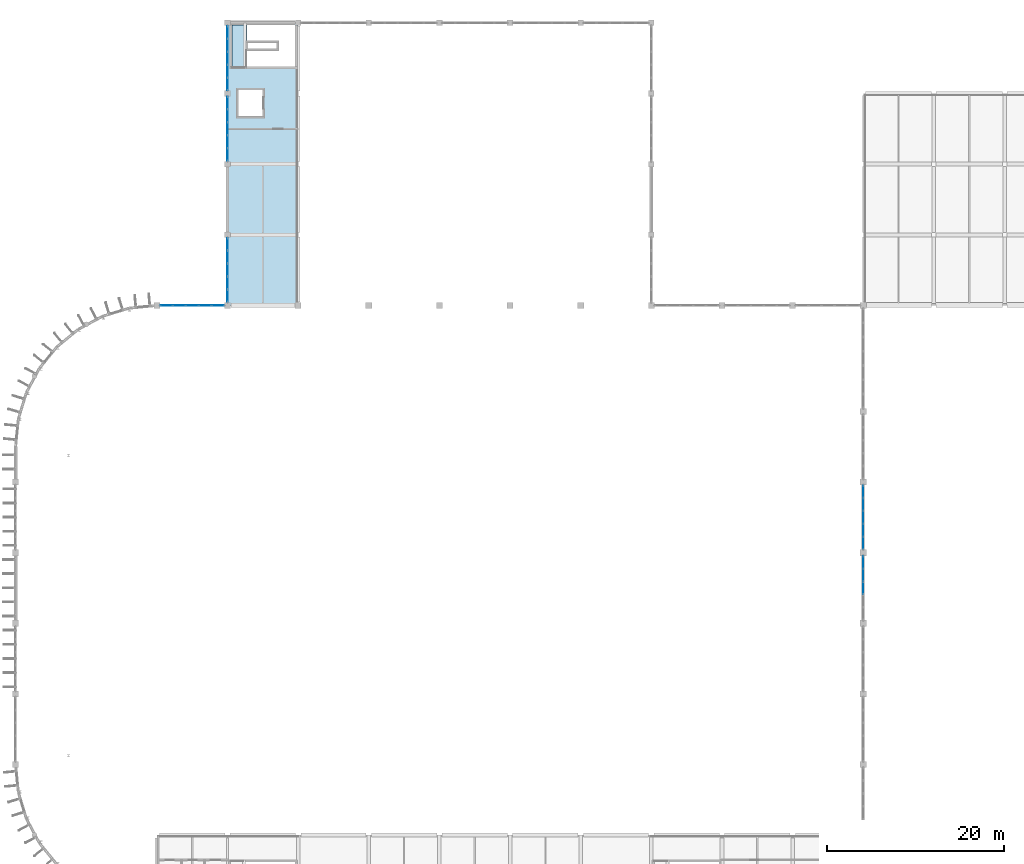
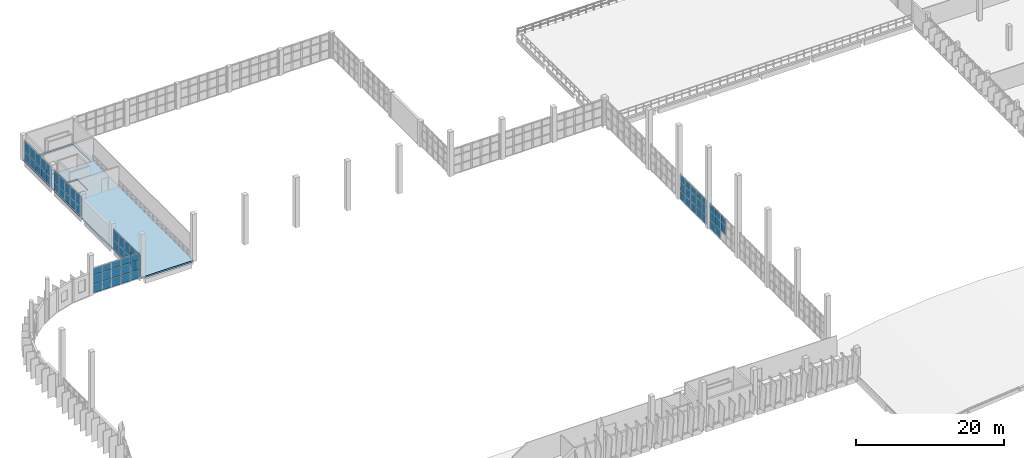
# One storey, part 38 of 66: 68 plates, 2 slabs, 6 elements without a shape of their own.
"""IFC4 building model written with IfcOpenShell, lengths in metres."""

from ifc_helpers import new_model, si_unit, direction, frame, origin, origin_2d, place, context, subcontext, project, spatial, polyline, rectangle, outline, extrude, material, layer, layer_set, type_object, element, aggregate, save


model = new_model("IFC4")

# Units and contexts
model_context = context("Model", 3, precision=1e-05, world=origin(), true_north=direction((0.0, 1.0)))
body_context = subcontext(model_context, "Body", "Model", "MODEL_VIEW")
ifc_project = project(units=[si_unit("LENGTHUNIT", "METRE"), si_unit("AREAUNIT", "SQUARE_METRE"), si_unit("VOLUMEUNIT", "CUBIC_METRE"), si_unit("PLANEANGLEUNIT", "RADIAN"), si_unit("MASSUNIT", "GRAM", prefix="KILO")], contexts=[model_context])

# Site, building, storey
site_placement = place(None, origin())
site = spatial("IfcSite", under=ifc_project, at=site_placement, CompositionType="ELEMENT")
building_placement = place(site_placement, origin())
building = spatial("IfcBuilding", under=site, at=building_placement, Name="Drelvana Railside Aquatics Centre", CompositionType="ELEMENT")
storey_placement = place(building_placement, frame((0.0, 0.0, 10.199951171875)))
storey = spatial("IfcBuildingStorey", under=building, at=storey_placement, Name="L02", CompositionType="ELEMENT", Elevation=10.199951171875)

# Curtain wall, plates
ifc_material_1 = material(Name="Bronze-anodised aluminium curtain wall", Category="aluminium")
ifc_layer_1 = layer(ifc_material_1, 0.219970703125, Name="Bronze-anodised aluminium curtain wall")
ifc_layer_set_1 = layer_set([ifc_layer_1], Name="Bronze-anodised aluminium curtain wall")
curtain_wall_type = type_object("IfcCurtainWallType", Name="CW-Z3-HIGH", PredefinedType="NOTDEFINED", material=ifc_layer_set_1)
curtain_wall_1_placement = place(storey_placement, origin())
curtain_wall_1 = element("IfcCurtainWall", 1, at=curtain_wall_1_placement, inside=storey, type_object=curtain_wall_type, Name="Curtain wall CW-03-019", PredefinedType="NOTDEFINED")
ifc_material_2 = material(Name="Double-glazed low-e solar-control glass", Category="glass")
ifc_layer_2 = layer(ifc_material_2, 0.035888671875, Name="Double-glazed low-e solar-control glass")
ifc_layer_set_2 = layer_set([ifc_layer_2], Name="Double-glazed low-e solar-control glass")
plate_type = type_object("IfcPlateType", Name="CW-Z3-HIGH-PAN", PredefinedType="CURTAIN_PANEL", material=ifc_layer_set_2)
plate_1_placement = place(storey_placement, frame((17.09521484375, 84.0, 0.06396484375), z_axis=(0.0, 0.0, 1.0), x_axis=(1.0, 0.0, 0.0)))
plate_1 = element("IfcPlate", 2, at=plate_1_placement, type_object=plate_type, Name="CW-03 panel 1.1", PredefinedType="CURTAIN_PANEL", context=body_context, shape_type="SweptSolid", body=[
    extrude(rectangle(XDim=1.352294921875, YDim=0.035888671875, at=origin_2d()), origin(), (0.0, 0.0, 1.0), 1.366455078125),
])
plate_2_placement = place(storey_placement, frame((17.09521484375, 84.0, 1.49560546875), z_axis=(0.0, 0.0, 1.0), x_axis=(1.0, 0.0, 0.0)))
plate_2 = element("IfcPlate", 3, at=plate_2_placement, type_object=plate_type, Name="CW-03 panel 1.2", PredefinedType="CURTAIN_PANEL", context=body_context, shape_type="SweptSolid", body=[
    extrude(rectangle(XDim=1.352294921875, YDim=0.035888671875, at=origin_2d()), origin(), (0.0, 0.0, 1.0), 1.487060546875),
])
plate_3_placement = place(storey_placement, frame((17.09521484375, 84.0, 3.04736328125), z_axis=(0.0, 0.0, 1.0), x_axis=(1.0, 0.0, 0.0)))
plate_3 = element("IfcPlate", 4, at=plate_3_placement, type_object=plate_type, Name="CW-03 panel 1.3", PredefinedType="CURTAIN_PANEL", context=body_context, shape_type="SweptSolid", body=[
    extrude(rectangle(XDim=1.352294921875, YDim=0.035888671875, at=origin_2d()), origin(), (0.0, 0.0, 1.0), 1.072509765625),
])
plate_4_placement = place(storey_placement, frame((18.53759765625, 84.0, 0.06396484375), z_axis=(0.0, 0.0, 1.0), x_axis=(1.0, 0.0, 0.0)))
plate_4 = element("IfcPlate", 5, at=plate_4_placement, type_object=plate_type, Name="CW-03 panel 2.1", PredefinedType="CURTAIN_PANEL", context=body_context, shape_type="SweptSolid", body=[
    extrude(rectangle(XDim=1.392333984375, YDim=0.035888671875, at=origin_2d()), origin(), (0.0, 0.0, 1.0), 1.366455078125),
])
plate_5_placement = place(storey_placement, frame((18.53759765625, 84.0, 1.49560546875), z_axis=(0.0, 0.0, 1.0), x_axis=(1.0, 0.0, 0.0)))
plate_5 = element("IfcPlate", 6, at=plate_5_placement, type_object=plate_type, Name="CW-03 panel 2.2", PredefinedType="CURTAIN_PANEL", context=body_context, shape_type="SweptSolid", body=[
    extrude(rectangle(XDim=1.392333984375, YDim=0.035888671875, at=origin_2d()), origin(), (0.0, 0.0, 1.0), 1.487060546875),
])
plate_6_placement = place(storey_placement, frame((18.53759765625, 84.0, 3.04736328125), z_axis=(0.0, 0.0, 1.0), x_axis=(1.0, 0.0, 0.0)))
plate_6 = element("IfcPlate", 7, at=plate_6_placement, type_object=plate_type, Name="CW-03 panel 2.3", PredefinedType="CURTAIN_PANEL", context=body_context, shape_type="SweptSolid", body=[
    extrude(rectangle(XDim=1.392333984375, YDim=0.035888671875, at=origin_2d()), origin(), (0.0, 0.0, 1.0), 1.072509765625),
])
plate_7_placement = place(storey_placement, frame((20.0, 84.0, 0.06396484375), z_axis=(0.0, 0.0, 1.0), x_axis=(1.0, 0.0, 0.0)))
plate_7 = element("IfcPlate", 8, at=plate_7_placement, type_object=plate_type, Name="CW-03 panel 3.1", PredefinedType="CURTAIN_PANEL", context=body_context, shape_type="SweptSolid", body=[
    extrude(rectangle(XDim=1.392333984375, YDim=0.035888671875, at=origin_2d()), origin(), (0.0, 0.0, 1.0), 1.366455078125),
])
plate_8_placement = place(storey_placement, frame((20.0, 84.0, 1.49560546875), z_axis=(0.0, 0.0, 1.0), x_axis=(1.0, 0.0, 0.0)))
plate_8 = element("IfcPlate", 9, at=plate_8_placement, type_object=plate_type, Name="CW-03 panel 3.2", PredefinedType="CURTAIN_PANEL", context=body_context, shape_type="SweptSolid", body=[
    extrude(rectangle(XDim=1.392333984375, YDim=0.035888671875, at=origin_2d()), origin(), (0.0, 0.0, 1.0), 1.487060546875),
])
plate_9_placement = place(storey_placement, frame((20.0, 84.0, 3.04736328125), z_axis=(0.0, 0.0, 1.0), x_axis=(1.0, 0.0, 0.0)))
plate_9 = element("IfcPlate", 10, at=plate_9_placement, type_object=plate_type, Name="CW-03 panel 3.3", PredefinedType="CURTAIN_PANEL", context=body_context, shape_type="SweptSolid", body=[
    extrude(rectangle(XDim=1.392333984375, YDim=0.035888671875, at=origin_2d()), origin(), (0.0, 0.0, 1.0), 1.072509765625),
])
plate_10_placement = place(storey_placement, frame((21.46240234375, 84.0, 0.06396484375), z_axis=(0.0, 0.0, 1.0), x_axis=(1.0, 0.0, 0.0)))
plate_10 = element("IfcPlate", 11, at=plate_10_placement, type_object=plate_type, Name="CW-03 panel 4.1", PredefinedType="CURTAIN_PANEL", context=body_context, shape_type="SweptSolid", body=[
    extrude(rectangle(XDim=1.392333984375, YDim=0.035888671875, at=origin_2d()), origin(), (0.0, 0.0, 1.0), 1.366455078125),
])
plate_11_placement = place(storey_placement, frame((21.46240234375, 84.0, 1.49560546875), z_axis=(0.0, 0.0, 1.0), x_axis=(1.0, 0.0, 0.0)))
plate_11 = element("IfcPlate", 12, at=plate_11_placement, type_object=plate_type, Name="CW-03 panel 4.2", PredefinedType="CURTAIN_PANEL", context=body_context, shape_type="SweptSolid", body=[
    extrude(rectangle(XDim=1.392333984375, YDim=0.035888671875, at=origin_2d()), origin(), (0.0, 0.0, 1.0), 1.487060546875),
])
plate_12_placement = place(storey_placement, frame((21.46240234375, 84.0, 3.04736328125), z_axis=(0.0, 0.0, 1.0), x_axis=(1.0, 0.0, 0.0)))
plate_12 = element("IfcPlate", 13, at=plate_12_placement, type_object=plate_type, Name="CW-03 panel 4.3", PredefinedType="CURTAIN_PANEL", context=body_context, shape_type="SweptSolid", body=[
    extrude(rectangle(XDim=1.392333984375, YDim=0.035888671875, at=origin_2d()), origin(), (0.0, 0.0, 1.0), 1.072509765625),
])
plate_13_placement = place(storey_placement, frame((22.90478515625, 84.0, 0.06396484375), z_axis=(0.0, 0.0, 1.0), x_axis=(1.0, 0.0, 0.0)))
plate_13 = element("IfcPlate", 14, at=plate_13_placement, type_object=plate_type, Name="CW-03 panel 5.1", PredefinedType="CURTAIN_PANEL", context=body_context, shape_type="SweptSolid", body=[
    extrude(rectangle(XDim=1.352294921875, YDim=0.035888671875, at=origin_2d()), origin(), (0.0, 0.0, 1.0), 1.366455078125),
])
plate_14_placement = place(storey_placement, frame((22.90478515625, 84.0, 1.49560546875), z_axis=(0.0, 0.0, 1.0), x_axis=(1.0, 0.0, 0.0)))
plate_14 = element("IfcPlate", 15, at=plate_14_placement, type_object=plate_type, Name="CW-03 panel 5.2", PredefinedType="CURTAIN_PANEL", context=body_context, shape_type="SweptSolid", body=[
    extrude(rectangle(XDim=1.352294921875, YDim=0.035888671875, at=origin_2d()), origin(), (0.0, 0.0, 1.0), 1.487060546875),
])
plate_15_placement = place(storey_placement, frame((22.90478515625, 84.0, 3.04736328125), z_axis=(0.0, 0.0, 1.0), x_axis=(1.0, 0.0, 0.0)))
plate_15 = element("IfcPlate", 16, at=plate_15_placement, type_object=plate_type, Name="CW-03 panel 5.3", PredefinedType="CURTAIN_PANEL", context=body_context, shape_type="SweptSolid", body=[
    extrude(rectangle(XDim=1.352294921875, YDim=0.035888671875, at=origin_2d()), origin(), (0.0, 0.0, 1.0), 1.072509765625),
])
aggregate(curtain_wall_1, [plate_1, plate_2, plate_3, plate_4, plate_5, plate_6, plate_7, plate_8, plate_9, plate_10, plate_11, plate_12, plate_13, plate_14, plate_15])

curtain_wall_2_placement = place(storey_placement, origin())
curtain_wall_2 = element("IfcCurtainWall", 17, at=curtain_wall_2_placement, inside=storey, type_object=curtain_wall_type, Name="Curtain wall CW-03-068", PredefinedType="NOTDEFINED")
plate_16_placement = place(storey_placement, frame((96.0, 52.0, 1.49560546875), z_axis=(0.0, 0.0, 1.0), x_axis=(0.0, 1.0, 0.0)))
plate_16 = element("IfcPlate", 18, at=plate_16_placement, type_object=plate_type, Name="CW-03 panel 3.2", PredefinedType="CURTAIN_PANEL", context=body_context, shape_type="SweptSolid", body=[
    extrude(rectangle(XDim=1.392333984375, YDim=0.035888671875, at=origin_2d()), origin(), (0.0, 0.0, 1.0), 1.487060546875),
])
plate_17_placement = place(storey_placement, frame((96.0, 52.0, 3.04736328125), z_axis=(0.0, 0.0, 1.0), x_axis=(0.0, 1.0, 0.0)))
plate_17 = element("IfcPlate", 19, at=plate_17_placement, type_object=plate_type, Name="CW-03 panel 3.3", PredefinedType="CURTAIN_PANEL", context=body_context, shape_type="SweptSolid", body=[
    extrude(rectangle(XDim=1.392333984375, YDim=0.035888671875, at=origin_2d()), origin(), (0.0, 0.0, 1.0), 1.072509765625),
])
plate_18_placement = place(storey_placement, frame((96.0, 53.46240234375, 0.06396484375), z_axis=(0.0, 0.0, 1.0), x_axis=(0.0, 1.0, 0.0)))
plate_18 = element("IfcPlate", 20, at=plate_18_placement, type_object=plate_type, Name="CW-03 panel 4.1", PredefinedType="CURTAIN_PANEL", context=body_context, shape_type="SweptSolid", body=[
    extrude(rectangle(XDim=1.392333984375, YDim=0.035888671875, at=origin_2d()), origin(), (0.0, 0.0, 1.0), 1.366455078125),
])
plate_19_placement = place(storey_placement, frame((96.0, 53.46240234375, 1.49560546875), z_axis=(0.0, 0.0, 1.0), x_axis=(0.0, 1.0, 0.0)))
plate_19 = element("IfcPlate", 21, at=plate_19_placement, type_object=plate_type, Name="CW-03 panel 4.2", PredefinedType="CURTAIN_PANEL", context=body_context, shape_type="SweptSolid", body=[
    extrude(rectangle(XDim=1.392333984375, YDim=0.035888671875, at=origin_2d()), origin(), (0.0, 0.0, 1.0), 1.487060546875),
])
plate_20_placement = place(storey_placement, frame((96.0, 53.46240234375, 3.04736328125), z_axis=(0.0, 0.0, 1.0), x_axis=(0.0, 1.0, 0.0)))
plate_20 = element("IfcPlate", 22, at=plate_20_placement, type_object=plate_type, Name="CW-03 panel 4.3", PredefinedType="CURTAIN_PANEL", context=body_context, shape_type="SweptSolid", body=[
    extrude(rectangle(XDim=1.392333984375, YDim=0.035888671875, at=origin_2d()), origin(), (0.0, 0.0, 1.0), 1.072509765625),
])
plate_21_placement = place(storey_placement, frame((96.0, 54.90478515625, 0.06396484375), z_axis=(0.0, 0.0, 1.0), x_axis=(0.0, 1.0, 0.0)))
plate_21 = element("IfcPlate", 23, at=plate_21_placement, type_object=plate_type, Name="CW-03 panel 5.1", PredefinedType="CURTAIN_PANEL", context=body_context, shape_type="SweptSolid", body=[
    extrude(rectangle(XDim=1.352294921875, YDim=0.035888671875, at=origin_2d()), origin(), (0.0, 0.0, 1.0), 1.366455078125),
])
plate_22_placement = place(storey_placement, frame((96.0, 54.90478515625, 1.49560546875), z_axis=(0.0, 0.0, 1.0), x_axis=(0.0, 1.0, 0.0)))
plate_22 = element("IfcPlate", 24, at=plate_22_placement, type_object=plate_type, Name="CW-03 panel 5.2", PredefinedType="CURTAIN_PANEL", context=body_context, shape_type="SweptSolid", body=[
    extrude(rectangle(XDim=1.352294921875, YDim=0.035888671875, at=origin_2d()), origin(), (0.0, 0.0, 1.0), 1.487060546875),
])
plate_23_placement = place(storey_placement, frame((96.0, 54.90478515625, 3.04736328125), z_axis=(0.0, 0.0, 1.0), x_axis=(0.0, 1.0, 0.0)))
plate_23 = element("IfcPlate", 25, at=plate_23_placement, type_object=plate_type, Name="CW-03 panel 5.3", PredefinedType="CURTAIN_PANEL", context=body_context, shape_type="SweptSolid", body=[
    extrude(rectangle(XDim=1.352294921875, YDim=0.035888671875, at=origin_2d()), origin(), (0.0, 0.0, 1.0), 1.072509765625),
])
aggregate(curtain_wall_2, [plate_16, plate_17, plate_18, plate_19, plate_20, plate_21, plate_22, plate_23])

curtain_wall_3_placement = place(storey_placement, origin())
curtain_wall_3 = element("IfcCurtainWall", 26, at=curtain_wall_3_placement, inside=storey, type_object=curtain_wall_type, Name="Curtain wall CW-03-072", PredefinedType="NOTDEFINED")
plate_24_placement = place(storey_placement, frame((96.0, 57.09521484375, 0.06396484375), z_axis=(0.0, 0.0, 1.0), x_axis=(0.0, 1.0, 0.0)))
plate_24 = element("IfcPlate", 27, at=plate_24_placement, type_object=plate_type, Name="CW-03 panel 1.1", PredefinedType="CURTAIN_PANEL", context=body_context, shape_type="SweptSolid", body=[
    extrude(rectangle(XDim=1.352294921875, YDim=0.035888671875, at=origin_2d()), origin(), (0.0, 0.0, 1.0), 1.366455078125),
])
plate_25_placement = place(storey_placement, frame((96.0, 57.09521484375, 1.49560546875), z_axis=(0.0, 0.0, 1.0), x_axis=(0.0, 1.0, 0.0)))
plate_25 = element("IfcPlate", 28, at=plate_25_placement, type_object=plate_type, Name="CW-03 panel 1.2", PredefinedType="CURTAIN_PANEL", context=body_context, shape_type="SweptSolid", body=[
    extrude(rectangle(XDim=1.352294921875, YDim=0.035888671875, at=origin_2d()), origin(), (0.0, 0.0, 1.0), 1.487060546875),
])
plate_26_placement = place(storey_placement, frame((96.0, 57.09521484375, 3.04736328125), z_axis=(0.0, 0.0, 1.0), x_axis=(0.0, 1.0, 0.0)))
plate_26 = element("IfcPlate", 29, at=plate_26_placement, type_object=plate_type, Name="CW-03 panel 1.3", PredefinedType="CURTAIN_PANEL", context=body_context, shape_type="SweptSolid", body=[
    extrude(rectangle(XDim=1.352294921875, YDim=0.035888671875, at=origin_2d()), origin(), (0.0, 0.0, 1.0), 1.072509765625),
])
plate_27_placement = place(storey_placement, frame((96.0, 58.53759765625, 0.06396484375), z_axis=(0.0, 0.0, 1.0), x_axis=(0.0, 1.0, 0.0)))
plate_27 = element("IfcPlate", 30, at=plate_27_placement, type_object=plate_type, Name="CW-03 panel 2.1", PredefinedType="CURTAIN_PANEL", context=body_context, shape_type="SweptSolid", body=[
    extrude(rectangle(XDim=1.392333984375, YDim=0.035888671875, at=origin_2d()), origin(), (0.0, 0.0, 1.0), 1.366455078125),
])
plate_28_placement = place(storey_placement, frame((96.0, 58.53759765625, 1.49560546875), z_axis=(0.0, 0.0, 1.0), x_axis=(0.0, 1.0, 0.0)))
plate_28 = element("IfcPlate", 31, at=plate_28_placement, type_object=plate_type, Name="CW-03 panel 2.2", PredefinedType="CURTAIN_PANEL", context=body_context, shape_type="SweptSolid", body=[
    extrude(rectangle(XDim=1.392333984375, YDim=0.035888671875, at=origin_2d()), origin(), (0.0, 0.0, 1.0), 1.487060546875),
])
plate_29_placement = place(storey_placement, frame((96.0, 58.53759765625, 3.04736328125), z_axis=(0.0, 0.0, 1.0), x_axis=(0.0, 1.0, 0.0)))
plate_29 = element("IfcPlate", 32, at=plate_29_placement, type_object=plate_type, Name="CW-03 panel 2.3", PredefinedType="CURTAIN_PANEL", context=body_context, shape_type="SweptSolid", body=[
    extrude(rectangle(XDim=1.392333984375, YDim=0.035888671875, at=origin_2d()), origin(), (0.0, 0.0, 1.0), 1.072509765625),
])
plate_30_placement = place(storey_placement, frame((96.0, 60.0, 0.06396484375), z_axis=(0.0, 0.0, 1.0), x_axis=(0.0, 1.0, 0.0)))
plate_30 = element("IfcPlate", 33, at=plate_30_placement, type_object=plate_type, Name="CW-03 panel 3.1", PredefinedType="CURTAIN_PANEL", context=body_context, shape_type="SweptSolid", body=[
    extrude(rectangle(XDim=1.392333984375, YDim=0.035888671875, at=origin_2d()), origin(), (0.0, 0.0, 1.0), 1.366455078125),
])
plate_31_placement = place(storey_placement, frame((96.0, 60.0, 1.49560546875), z_axis=(0.0, 0.0, 1.0), x_axis=(0.0, 1.0, 0.0)))
plate_31 = element("IfcPlate", 34, at=plate_31_placement, type_object=plate_type, Name="CW-03 panel 3.2", PredefinedType="CURTAIN_PANEL", context=body_context, shape_type="SweptSolid", body=[
    extrude(rectangle(XDim=1.392333984375, YDim=0.035888671875, at=origin_2d()), origin(), (0.0, 0.0, 1.0), 1.487060546875),
])
plate_32_placement = place(storey_placement, frame((96.0, 60.0, 3.04736328125), z_axis=(0.0, 0.0, 1.0), x_axis=(0.0, 1.0, 0.0)))
plate_32 = element("IfcPlate", 35, at=plate_32_placement, type_object=plate_type, Name="CW-03 panel 3.3", PredefinedType="CURTAIN_PANEL", context=body_context, shape_type="SweptSolid", body=[
    extrude(rectangle(XDim=1.392333984375, YDim=0.035888671875, at=origin_2d()), origin(), (0.0, 0.0, 1.0), 1.072509765625),
])
plate_33_placement = place(storey_placement, frame((96.0, 61.46240234375, 0.06396484375), z_axis=(0.0, 0.0, 1.0), x_axis=(0.0, 1.0, 0.0)))
plate_33 = element("IfcPlate", 36, at=plate_33_placement, type_object=plate_type, Name="CW-03 panel 4.1", PredefinedType="CURTAIN_PANEL", context=body_context, shape_type="SweptSolid", body=[
    extrude(rectangle(XDim=1.392333984375, YDim=0.035888671875, at=origin_2d()), origin(), (0.0, 0.0, 1.0), 1.366455078125),
])
plate_34_placement = place(storey_placement, frame((96.0, 61.46240234375, 1.49560546875), z_axis=(0.0, 0.0, 1.0), x_axis=(0.0, 1.0, 0.0)))
plate_34 = element("IfcPlate", 37, at=plate_34_placement, type_object=plate_type, Name="CW-03 panel 4.2", PredefinedType="CURTAIN_PANEL", context=body_context, shape_type="SweptSolid", body=[
    extrude(rectangle(XDim=1.392333984375, YDim=0.035888671875, at=origin_2d()), origin(), (0.0, 0.0, 1.0), 1.487060546875),
])
plate_35_placement = place(storey_placement, frame((96.0, 61.46240234375, 3.04736328125), z_axis=(0.0, 0.0, 1.0), x_axis=(0.0, 1.0, 0.0)))
plate_35 = element("IfcPlate", 38, at=plate_35_placement, type_object=plate_type, Name="CW-03 panel 4.3", PredefinedType="CURTAIN_PANEL", context=body_context, shape_type="SweptSolid", body=[
    extrude(rectangle(XDim=1.392333984375, YDim=0.035888671875, at=origin_2d()), origin(), (0.0, 0.0, 1.0), 1.072509765625),
])
plate_36_placement = place(storey_placement, frame((96.0, 62.90478515625, 0.06396484375), z_axis=(0.0, 0.0, 1.0), x_axis=(0.0, 1.0, 0.0)))
plate_36 = element("IfcPlate", 39, at=plate_36_placement, type_object=plate_type, Name="CW-03 panel 5.1", PredefinedType="CURTAIN_PANEL", context=body_context, shape_type="SweptSolid", body=[
    extrude(rectangle(XDim=1.352294921875, YDim=0.035888671875, at=origin_2d()), origin(), (0.0, 0.0, 1.0), 1.366455078125),
])
plate_37_placement = place(storey_placement, frame((96.0, 62.90478515625, 1.49560546875), z_axis=(0.0, 0.0, 1.0), x_axis=(0.0, 1.0, 0.0)))
plate_37 = element("IfcPlate", 40, at=plate_37_placement, type_object=plate_type, Name="CW-03 panel 5.2", PredefinedType="CURTAIN_PANEL", context=body_context, shape_type="SweptSolid", body=[
    extrude(rectangle(XDim=1.352294921875, YDim=0.035888671875, at=origin_2d()), origin(), (0.0, 0.0, 1.0), 1.487060546875),
])
plate_38_placement = place(storey_placement, frame((96.0, 62.90478515625, 3.04736328125), z_axis=(0.0, 0.0, 1.0), x_axis=(0.0, 1.0, 0.0)))
plate_38 = element("IfcPlate", 41, at=plate_38_placement, type_object=plate_type, Name="CW-03 panel 5.3", PredefinedType="CURTAIN_PANEL", context=body_context, shape_type="SweptSolid", body=[
    extrude(rectangle(XDim=1.352294921875, YDim=0.035888671875, at=origin_2d()), origin(), (0.0, 0.0, 1.0), 1.072509765625),
])
aggregate(curtain_wall_3, [plate_24, plate_25, plate_26, plate_27, plate_28, plate_29, plate_30, plate_31, plate_32, plate_33, plate_34, plate_35, plate_36, plate_37, plate_38])

curtain_wall_4_placement = place(storey_placement, origin())
curtain_wall_4 = element("IfcCurtainWall", 42, at=curtain_wall_4_placement, inside=storey, type_object=curtain_wall_type, Name="Curtain wall CW-03-083", PredefinedType="NOTDEFINED")
plate_39_placement = place(storey_placement, frame((24.0, 85.09765625, 0.06396484375), z_axis=(0.0, 0.0, 1.0), x_axis=(0.0, 1.0, 0.0)))
plate_39 = element("IfcPlate", 43, at=plate_39_placement, type_object=plate_type, Name="CW-03 panel 1.1", PredefinedType="CURTAIN_PANEL", context=body_context, shape_type="SweptSolid", body=[
    extrude(rectangle(XDim=1.357421875, YDim=0.035888671875, at=origin_2d()), origin(), (0.0, 0.0, 1.0), 1.425537109375),
])
plate_40_placement = place(storey_placement, frame((24.0, 85.09765625, 1.5546875), z_axis=(0.0, 0.0, 1.0), x_axis=(0.0, 1.0, 0.0)))
plate_40 = element("IfcPlate", 44, at=plate_40_placement, type_object=plate_type, Name="CW-03 panel 1.2", PredefinedType="CURTAIN_PANEL", context=body_context, shape_type="SweptSolid", body=[
    extrude(rectangle(XDim=1.357421875, YDim=0.035888671875, at=origin_2d()), origin(), (0.0, 0.0, 1.0), 1.765380859375),
])
plate_41_placement = place(storey_placement, frame((24.0, 86.545166015625, 0.06396484375), z_axis=(0.0, 0.0, 1.0), x_axis=(0.0, 1.0, 0.0)))
plate_41 = element("IfcPlate", 45, at=plate_41_placement, type_object=plate_type, Name="CW-03 panel 2.1", PredefinedType="CURTAIN_PANEL", context=body_context, shape_type="SweptSolid", body=[
    extrude(rectangle(XDim=1.3974609375, YDim=0.035888671875, at=origin_2d()), origin(), (0.0, 0.0, 1.0), 1.425537109375),
])
plate_42_placement = place(storey_placement, frame((24.0, 86.545166015625, 1.5546875), z_axis=(0.0, 0.0, 1.0), x_axis=(0.0, 1.0, 0.0)))
plate_42 = element("IfcPlate", 46, at=plate_42_placement, type_object=plate_type, Name="CW-03 panel 2.2", PredefinedType="CURTAIN_PANEL", context=body_context, shape_type="SweptSolid", body=[
    extrude(rectangle(XDim=1.3974609375, YDim=0.035888671875, at=origin_2d()), origin(), (0.0, 0.0, 1.0), 1.765380859375),
])
plate_43_placement = place(storey_placement, frame((24.0, 88.012451171875, 0.06396484375), z_axis=(0.0, 0.0, 1.0), x_axis=(0.0, 1.0, 0.0)))
plate_43 = element("IfcPlate", 47, at=plate_43_placement, type_object=plate_type, Name="CW-03 panel 3.1", PredefinedType="CURTAIN_PANEL", context=body_context, shape_type="SweptSolid", body=[
    extrude(rectangle(XDim=1.3974609375, YDim=0.035888671875, at=origin_2d()), origin(), (0.0, 0.0, 1.0), 1.425537109375),
])
plate_44_placement = place(storey_placement, frame((24.0, 88.012451171875, 1.5546875), z_axis=(0.0, 0.0, 1.0), x_axis=(0.0, 1.0, 0.0)))
plate_44 = element("IfcPlate", 48, at=plate_44_placement, type_object=plate_type, Name="CW-03 panel 3.2", PredefinedType="CURTAIN_PANEL", context=body_context, shape_type="SweptSolid", body=[
    extrude(rectangle(XDim=1.3974609375, YDim=0.035888671875, at=origin_2d()), origin(), (0.0, 0.0, 1.0), 1.765380859375),
])
plate_45_placement = place(storey_placement, frame((24.0, 89.47998046875, 0.06396484375), z_axis=(0.0, 0.0, 1.0), x_axis=(0.0, 1.0, 0.0)))
plate_45 = element("IfcPlate", 49, at=plate_45_placement, type_object=plate_type, Name="CW-03 panel 4.1", PredefinedType="CURTAIN_PANEL", context=body_context, shape_type="SweptSolid", body=[
    extrude(rectangle(XDim=1.3974609375, YDim=0.035888671875, at=origin_2d()), origin(), (0.0, 0.0, 1.0), 1.425537109375),
])
plate_46_placement = place(storey_placement, frame((24.0, 89.47998046875, 1.5546875), z_axis=(0.0, 0.0, 1.0), x_axis=(0.0, 1.0, 0.0)))
plate_46 = element("IfcPlate", 50, at=plate_46_placement, type_object=plate_type, Name="CW-03 panel 4.2", PredefinedType="CURTAIN_PANEL", context=body_context, shape_type="SweptSolid", body=[
    extrude(rectangle(XDim=1.3974609375, YDim=0.035888671875, at=origin_2d()), origin(), (0.0, 0.0, 1.0), 1.765380859375),
])
plate_47_placement = place(storey_placement, frame((24.0, 90.92724609375, 0.06396484375), z_axis=(0.0, 0.0, 1.0), x_axis=(0.0, 1.0, 0.0)))
plate_47 = element("IfcPlate", 51, at=plate_47_placement, type_object=plate_type, Name="CW-03 panel 5.1", PredefinedType="CURTAIN_PANEL", context=body_context, shape_type="SweptSolid", body=[
    extrude(rectangle(XDim=1.357421875, YDim=0.035888671875, at=origin_2d()), origin(), (0.0, 0.0, 1.0), 1.425537109375),
])
plate_48_placement = place(storey_placement, frame((24.0, 90.92724609375, 1.5546875), z_axis=(0.0, 0.0, 1.0), x_axis=(0.0, 1.0, 0.0)))
plate_48 = element("IfcPlate", 52, at=plate_48_placement, type_object=plate_type, Name="CW-03 panel 5.2", PredefinedType="CURTAIN_PANEL", context=body_context, shape_type="SweptSolid", body=[
    extrude(rectangle(XDim=1.357421875, YDim=0.035888671875, at=origin_2d()), origin(), (0.0, 0.0, 1.0), 1.765380859375),
])
aggregate(curtain_wall_4, [plate_39, plate_40, plate_41, plate_42, plate_43, plate_44, plate_45, plate_46, plate_47, plate_48])

curtain_wall_5_placement = place(storey_placement, origin())
curtain_wall_5 = element("IfcCurtainWall", 53, at=curtain_wall_5_placement, inside=storey, type_object=curtain_wall_type, Name="Curtain wall CW-03-086", PredefinedType="NOTDEFINED")
plate_49_placement = place(storey_placement, frame((24.0, 101.0751953125, 0.06396484375), z_axis=(0.0, 0.0, 1.0), x_axis=(0.0, 1.0, 0.0)))
plate_49 = element("IfcPlate", 54, at=plate_49_placement, type_object=plate_type, Name="CW-03 panel 1.1", PredefinedType="CURTAIN_PANEL", context=body_context, shape_type="SweptSolid", body=[
    extrude(rectangle(XDim=1.3623046875, YDim=0.035888671875, at=origin_2d()), origin(), (0.0, 0.0, 1.0), 1.425537109375),
])
plate_50_placement = place(storey_placement, frame((24.0, 101.0751953125, 1.5546875), z_axis=(0.0, 0.0, 1.0), x_axis=(0.0, 1.0, 0.0)))
plate_50 = element("IfcPlate", 55, at=plate_50_placement, type_object=plate_type, Name="CW-03 panel 1.2", PredefinedType="CURTAIN_PANEL", context=body_context, shape_type="SweptSolid", body=[
    extrude(rectangle(XDim=1.3623046875, YDim=0.035888671875, at=origin_2d()), origin(), (0.0, 0.0, 1.0), 1.765380859375),
])
plate_51_placement = place(storey_placement, frame((24.0, 102.527587890625, 0.06396484375), z_axis=(0.0, 0.0, 1.0), x_axis=(0.0, 1.0, 0.0)))
plate_51 = element("IfcPlate", 56, at=plate_51_placement, type_object=plate_type, Name="CW-03 panel 2.1", PredefinedType="CURTAIN_PANEL", context=body_context, shape_type="SweptSolid", body=[
    extrude(rectangle(XDim=1.40234375, YDim=0.035888671875, at=origin_2d()), origin(), (0.0, 0.0, 1.0), 1.425537109375),
])
plate_52_placement = place(storey_placement, frame((24.0, 102.527587890625, 1.5546875), z_axis=(0.0, 0.0, 1.0), x_axis=(0.0, 1.0, 0.0)))
plate_52 = element("IfcPlate", 57, at=plate_52_placement, type_object=plate_type, Name="CW-03 panel 2.2", PredefinedType="CURTAIN_PANEL", context=body_context, shape_type="SweptSolid", body=[
    extrude(rectangle(XDim=1.40234375, YDim=0.035888671875, at=origin_2d()), origin(), (0.0, 0.0, 1.0), 1.765380859375),
])
plate_53_placement = place(storey_placement, frame((24.0, 104.0, 0.06396484375), z_axis=(0.0, 0.0, 1.0), x_axis=(0.0, 1.0, 0.0)))
plate_53 = element("IfcPlate", 58, at=plate_53_placement, type_object=plate_type, Name="CW-03 panel 3.1", PredefinedType="CURTAIN_PANEL", context=body_context, shape_type="SweptSolid", body=[
    extrude(rectangle(XDim=1.40234375, YDim=0.035888671875, at=origin_2d()), origin(), (0.0, 0.0, 1.0), 1.425537109375),
])
plate_54_placement = place(storey_placement, frame((24.0, 104.0, 1.5546875), z_axis=(0.0, 0.0, 1.0), x_axis=(0.0, 1.0, 0.0)))
plate_54 = element("IfcPlate", 59, at=plate_54_placement, type_object=plate_type, Name="CW-03 panel 3.2", PredefinedType="CURTAIN_PANEL", context=body_context, shape_type="SweptSolid", body=[
    extrude(rectangle(XDim=1.40234375, YDim=0.035888671875, at=origin_2d()), origin(), (0.0, 0.0, 1.0), 1.765380859375),
])
plate_55_placement = place(storey_placement, frame((24.0, 105.472412109375, 0.06396484375), z_axis=(0.0, 0.0, 1.0), x_axis=(0.0, 1.0, 0.0)))
plate_55 = element("IfcPlate", 60, at=plate_55_placement, type_object=plate_type, Name="CW-03 panel 4.1", PredefinedType="CURTAIN_PANEL", context=body_context, shape_type="SweptSolid", body=[
    extrude(rectangle(XDim=1.40234375, YDim=0.035888671875, at=origin_2d()), origin(), (0.0, 0.0, 1.0), 1.425537109375),
])
plate_56_placement = place(storey_placement, frame((24.0, 105.472412109375, 1.5546875), z_axis=(0.0, 0.0, 1.0), x_axis=(0.0, 1.0, 0.0)))
plate_56 = element("IfcPlate", 61, at=plate_56_placement, type_object=plate_type, Name="CW-03 panel 4.2", PredefinedType="CURTAIN_PANEL", context=body_context, shape_type="SweptSolid", body=[
    extrude(rectangle(XDim=1.40234375, YDim=0.035888671875, at=origin_2d()), origin(), (0.0, 0.0, 1.0), 1.765380859375),
])
plate_57_placement = place(storey_placement, frame((24.0, 106.9248046875, 0.06396484375), z_axis=(0.0, 0.0, 1.0), x_axis=(0.0, 1.0, 0.0)))
plate_57 = element("IfcPlate", 62, at=plate_57_placement, type_object=plate_type, Name="CW-03 panel 5.1", PredefinedType="CURTAIN_PANEL", context=body_context, shape_type="SweptSolid", body=[
    extrude(rectangle(XDim=1.3623046875, YDim=0.035888671875, at=origin_2d()), origin(), (0.0, 0.0, 1.0), 1.425537109375),
])
plate_58_placement = place(storey_placement, frame((24.0, 106.9248046875, 1.5546875), z_axis=(0.0, 0.0, 1.0), x_axis=(0.0, 1.0, 0.0)))
plate_58 = element("IfcPlate", 63, at=plate_58_placement, type_object=plate_type, Name="CW-03 panel 5.2", PredefinedType="CURTAIN_PANEL", context=body_context, shape_type="SweptSolid", body=[
    extrude(rectangle(XDim=1.3623046875, YDim=0.035888671875, at=origin_2d()), origin(), (0.0, 0.0, 1.0), 1.765380859375),
])
aggregate(curtain_wall_5, [plate_49, plate_50, plate_51, plate_52, plate_53, plate_54, plate_55, plate_56, plate_57, plate_58])

curtain_wall_6_placement = place(storey_placement, origin())
curtain_wall_6 = element("IfcCurtainWall", 64, at=curtain_wall_6_placement, inside=storey, type_object=curtain_wall_type, Name="Curtain wall CW-03-089", PredefinedType="NOTDEFINED")
plate_59_placement = place(storey_placement, frame((24.0, 109.0751953125, 0.06396484375), z_axis=(0.0, 0.0, 1.0), x_axis=(0.0, 1.0, 0.0)))
plate_59 = element("IfcPlate", 65, at=plate_59_placement, type_object=plate_type, Name="CW-03 panel 1.1", PredefinedType="CURTAIN_PANEL", context=body_context, shape_type="SweptSolid", body=[
    extrude(rectangle(XDim=1.3623046875, YDim=0.035888671875, at=origin_2d()), origin(), (0.0, 0.0, 1.0), 1.425537109375),
])
plate_60_placement = place(storey_placement, frame((24.0, 109.0751953125, 1.5546875), z_axis=(0.0, 0.0, 1.0), x_axis=(0.0, 1.0, 0.0)))
plate_60 = element("IfcPlate", 66, at=plate_60_placement, type_object=plate_type, Name="CW-03 panel 1.2", PredefinedType="CURTAIN_PANEL", context=body_context, shape_type="SweptSolid", body=[
    extrude(rectangle(XDim=1.3623046875, YDim=0.035888671875, at=origin_2d()), origin(), (0.0, 0.0, 1.0), 1.765380859375),
])
plate_61_placement = place(storey_placement, frame((24.0, 110.527587890625, 0.06396484375), z_axis=(0.0, 0.0, 1.0), x_axis=(0.0, 1.0, 0.0)))
plate_61 = element("IfcPlate", 67, at=plate_61_placement, type_object=plate_type, Name="CW-03 panel 2.1", PredefinedType="CURTAIN_PANEL", context=body_context, shape_type="SweptSolid", body=[
    extrude(rectangle(XDim=1.40234375, YDim=0.035888671875, at=origin_2d()), origin(), (0.0, 0.0, 1.0), 1.425537109375),
])
plate_62_placement = place(storey_placement, frame((24.0, 110.527587890625, 1.5546875), z_axis=(0.0, 0.0, 1.0), x_axis=(0.0, 1.0, 0.0)))
plate_62 = element("IfcPlate", 68, at=plate_62_placement, type_object=plate_type, Name="CW-03 panel 2.2", PredefinedType="CURTAIN_PANEL", context=body_context, shape_type="SweptSolid", body=[
    extrude(rectangle(XDim=1.40234375, YDim=0.035888671875, at=origin_2d()), origin(), (0.0, 0.0, 1.0), 1.765380859375),
])
plate_63_placement = place(storey_placement, frame((24.0, 112.0, 0.06396484375), z_axis=(0.0, 0.0, 1.0), x_axis=(0.0, 1.0, 0.0)))
plate_63 = element("IfcPlate", 69, at=plate_63_placement, type_object=plate_type, Name="CW-03 panel 3.1", PredefinedType="CURTAIN_PANEL", context=body_context, shape_type="SweptSolid", body=[
    extrude(rectangle(XDim=1.40234375, YDim=0.035888671875, at=origin_2d()), origin(), (0.0, 0.0, 1.0), 1.425537109375),
])
plate_64_placement = place(storey_placement, frame((24.0, 112.0, 1.5546875), z_axis=(0.0, 0.0, 1.0), x_axis=(0.0, 1.0, 0.0)))
plate_64 = element("IfcPlate", 70, at=plate_64_placement, type_object=plate_type, Name="CW-03 panel 3.2", PredefinedType="CURTAIN_PANEL", context=body_context, shape_type="SweptSolid", body=[
    extrude(rectangle(XDim=1.40234375, YDim=0.035888671875, at=origin_2d()), origin(), (0.0, 0.0, 1.0), 1.765380859375),
])
plate_65_placement = place(storey_placement, frame((24.0, 113.472412109375, 0.06396484375), z_axis=(0.0, 0.0, 1.0), x_axis=(0.0, 1.0, 0.0)))
plate_65 = element("IfcPlate", 71, at=plate_65_placement, type_object=plate_type, Name="CW-03 panel 4.1", PredefinedType="CURTAIN_PANEL", context=body_context, shape_type="SweptSolid", body=[
    extrude(rectangle(XDim=1.40234375, YDim=0.035888671875, at=origin_2d()), origin(), (0.0, 0.0, 1.0), 1.425537109375),
])
plate_66_placement = place(storey_placement, frame((24.0, 113.472412109375, 1.5546875), z_axis=(0.0, 0.0, 1.0), x_axis=(0.0, 1.0, 0.0)))
plate_66 = element("IfcPlate", 72, at=plate_66_placement, type_object=plate_type, Name="CW-03 panel 4.2", PredefinedType="CURTAIN_PANEL", context=body_context, shape_type="SweptSolid", body=[
    extrude(rectangle(XDim=1.40234375, YDim=0.035888671875, at=origin_2d()), origin(), (0.0, 0.0, 1.0), 1.765380859375),
])
plate_67_placement = place(storey_placement, frame((24.0, 114.9248046875, 0.06396484375), z_axis=(0.0, 0.0, 1.0), x_axis=(0.0, 1.0, 0.0)))
plate_67 = element("IfcPlate", 73, at=plate_67_placement, type_object=plate_type, Name="CW-03 panel 5.1", PredefinedType="CURTAIN_PANEL", context=body_context, shape_type="SweptSolid", body=[
    extrude(rectangle(XDim=1.3623046875, YDim=0.035888671875, at=origin_2d()), origin(), (0.0, 0.0, 1.0), 1.425537109375),
])
plate_68_placement = place(storey_placement, frame((24.0, 114.9248046875, 1.5546875), z_axis=(0.0, 0.0, 1.0), x_axis=(0.0, 1.0, 0.0)))
plate_68 = element("IfcPlate", 74, at=plate_68_placement, type_object=plate_type, Name="CW-03 panel 5.2", PredefinedType="CURTAIN_PANEL", context=body_context, shape_type="SweptSolid", body=[
    extrude(rectangle(XDim=1.3623046875, YDim=0.035888671875, at=origin_2d()), origin(), (0.0, 0.0, 1.0), 1.765380859375),
])
aggregate(curtain_wall_6, [plate_59, plate_60, plate_61, plate_62, plate_63, plate_64, plate_65, plate_66, plate_67, plate_68])

# Slabs
ifc_material_3 = material(Name="Concrete C40/50", Category="concrete")
ifc_layer_3 = layer(ifc_material_3, 0.25, Name="Concrete C40/50")
ifc_layer_set_3 = layer_set([ifc_layer_3], Name="Concrete C40/50")
slab_type_1 = type_object("IfcSlabType", Name="SL-L02-250", PredefinedType="FLOOR", material=ifc_layer_set_3)
slab_1_placement = place(storey_placement, frame((0.0, 0.0, -0.25)))
element("IfcSlab", 75, at=slab_1_placement, inside=storey, type_object=slab_type_1, Name="Diving Hall judges and review suite slab", PredefinedType="FLOOR", context=body_context, shape_type="SweptSolid", body=[
    extrude(outline(polyline([(24.0, 84.0), (32.0, 84.0), (32.0, 116.0), (24.0, 116.0), (24.0, 84.0)]), holes=[polyline([(24.5, 111.050048828125), (31.64990234375, 111.050048828125), (31.64990234375, 115.75), (24.5, 115.75), (24.5, 111.050048828125)]), polyline([(25.199951171875, 105.39990234375), (28.0, 105.39990234375), (28.0, 108.39990234375), (25.199951171875, 108.39990234375), (25.199951171875, 105.39990234375)])]), origin(), (0.0, 0.0, 1.0), 0.25),
])
ifc_layer_4 = layer(ifc_material_3, 0.199951171875, Name="Concrete C40/50")
ifc_layer_set_4 = layer_set([ifc_layer_4], Name="Concrete C40/50")
slab_type_2 = type_object("IfcSlabType", Name="SL-LAND-200", PredefinedType="LANDING", material=ifc_layer_set_4)
slab_2_placement = place(storey_placement, frame((0.0, 0.0, -0.199951171875)))
element("IfcSlab", 76, at=slab_2_placement, inside=storey, type_object=slab_type_2, Name="Stair ST-03 L02 floor landing", PredefinedType="LANDING", context=body_context, shape_type="SweptSolid", body=[
    extrude(outline(polyline([(24.5, 111.050048828125), (26.179931640625, 111.050048828125), (26.179931640625, 115.75), (24.5, 115.75), (24.5, 111.050048828125)])), origin(), (0.0, 0.0, 1.0), 0.199951171875),
])

save(model, "model.ifc")
